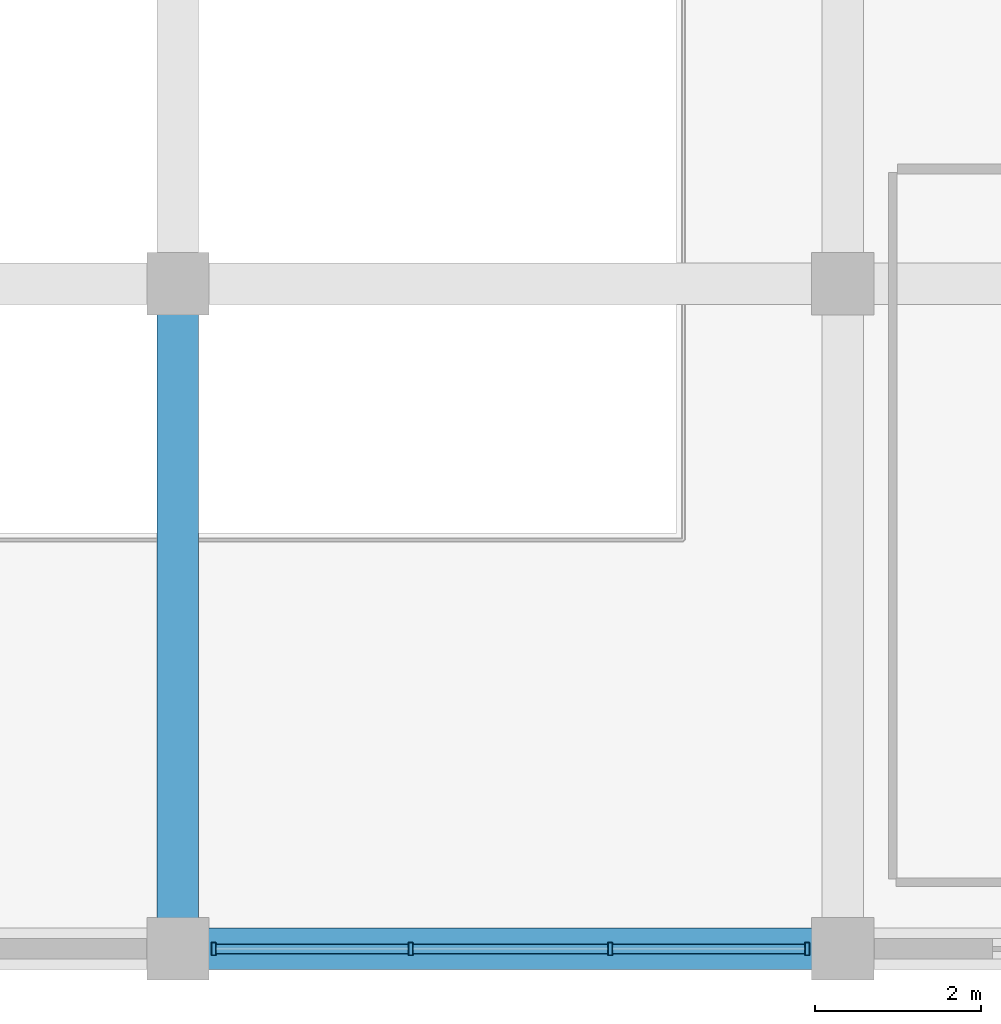
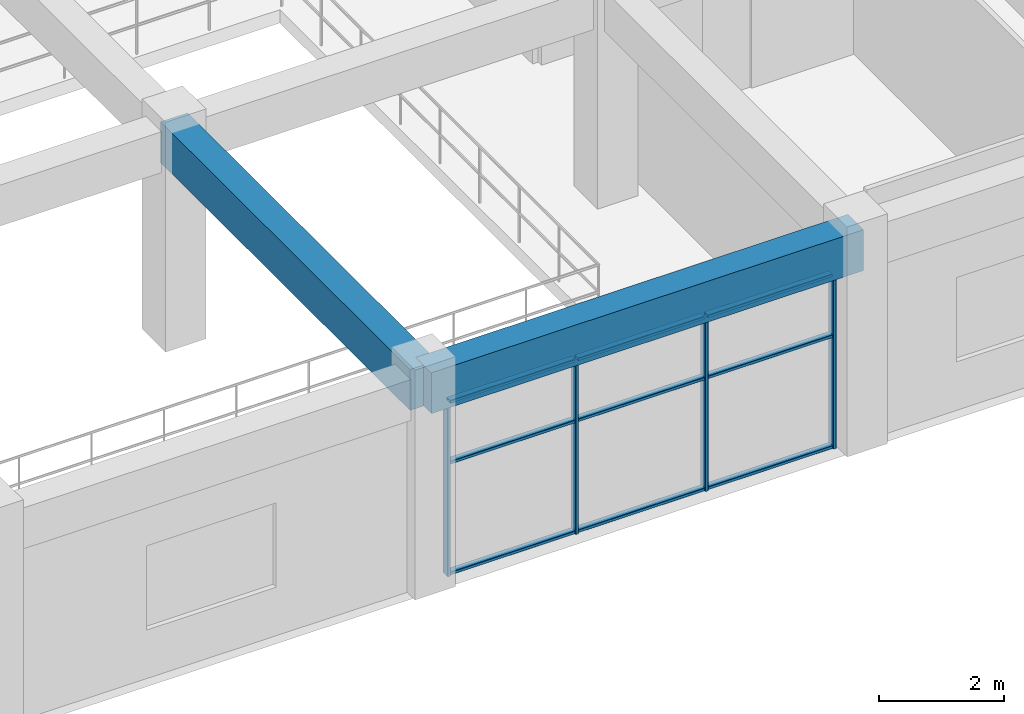
# One storey, part 8 of 55: 13 members, 2 beams, 1 element without a shape of its own.
"""IFC4 building model written with IfcOpenShell, lengths in metres."""

from ifc_helpers import new_model, si_unit, direction, frame, origin, origin_2d, place, context, subcontext, project, spatial, rectangle, hollow_rectangle, extrude, material, layer, layer_set, material_profile, profile_set, type_object, element, aggregate, save


model = new_model("IFC4")

# Units and contexts
model_context = context("Model", 3, precision=1e-05, world=origin(), true_north=direction((0.0, 1.0)))
body_context = subcontext(model_context, "Body", "Model", "MODEL_VIEW")
ifc_project = project(units=[si_unit("LENGTHUNIT", "METRE"), si_unit("AREAUNIT", "SQUARE_METRE"), si_unit("VOLUMEUNIT", "CUBIC_METRE"), si_unit("PLANEANGLEUNIT", "RADIAN"), si_unit("MASSUNIT", "GRAM", prefix="KILO")], contexts=[model_context])

# Site, building, storey
site_placement = place(None, origin())
site = spatial("IfcSite", under=ifc_project, at=site_placement, CompositionType="ELEMENT")
building_placement = place(site_placement, origin())
building = spatial("IfcBuilding", under=site, at=building_placement, Name="Kelanora Arch Commons", CompositionType="ELEMENT")
storey_placement = place(building_placement, frame((0.0, 0.0, 4.5)))
storey = spatial("IfcBuildingStorey", under=building, at=storey_placement, Name="L01", CompositionType="ELEMENT", Elevation=4.5)

# Beams
ifc_material_1 = material(Name="Concrete C40/50", Category="concrete")
ifc_material_profile_1 = material_profile(ifc_material_1, rectangle(XDim=0.5, YDim=0.800048828125, at=origin_2d()), Name="RCB500x800")
ifc_profile_set_1 = profile_set([ifc_material_profile_1], Name="Concrete C40/50")
beam_type = type_object("IfcBeamType", Name="BM-MKT-RC1", PredefinedType="BEAM", material=ifc_profile_set_1)
for number, where, z_axis, x_axis, name in (
    (1, (60.0, 4.0, 3.840087890625), (1.0, 0.0, 0.0), (0.0, 1.0, 0.0), "Market/Basement Frame Beam 108 L01"),
    (2, (60.0, 4.0, 3.840087890625), (0.0, 1.0, 0.0), (-1.0, 0.0, 0.0), "Market/Basement Frame Beam 109 L01"),
):
    element("IfcBeam", number, at=place(storey_placement, frame(where, z_axis=z_axis, x_axis=x_axis)), inside=storey, type_object=beam_type, Name=name, PredefinedType="BEAM", context=body_context, shape_type="SweptSolid", body=[
        extrude(rectangle(XDim=0.5, YDim=0.800048828125, at=origin_2d()), origin(), (0.0, 0.0, 1.0), 8.0),
    ])

# Curtain wall, members
ifc_material_2 = material(Name="Terracotta ceramic-fritted low-E glass and aluminium", Category="masonry")
ifc_layer = layer(ifc_material_2, 0.16796875)
ifc_layer_set = layer_set([ifc_layer], Name="Terracotta ceramic-fritted low-E glass and aluminium")
curtain_wall_type = type_object("IfcCurtainWallType", Name="CW-SYS-07", PredefinedType="NOTDEFINED", material=ifc_layer_set)
curtain_wall_placement = place(storey_placement, origin())
curtain_wall = element("IfcCurtainWall", 3, at=curtain_wall_placement, inside=storey, type_object=curtain_wall_type, Name="Market Hall Arcade Curtain Wall L01-07", PredefinedType="NOTDEFINED")
ifc_material_3 = material(Name="Powder-coated aluminium terracotta", Category="masonry")
ifc_material_profile_2 = material_profile(ifc_material_3, hollow_rectangle(XDim=0.159912109375, YDim=0.06005859375, WallThickness=0.0048828125, InnerFilletRadius=0.0048828125, OuterFilletRadius=0.010009765625, at=origin_2d()), Name="CWM160x60")
ifc_profile_set_2 = profile_set([ifc_material_profile_2], Name="Powder-coated aluminium terracotta")
member_type_1 = type_object("IfcMemberType", Name="CWM-STD", PredefinedType="MULLION", material=ifc_profile_set_2)
member_1_placement = place(storey_placement, frame((60.429931640625, 4.0, 0.0), z_axis=(0.0, 0.0, 1.0), x_axis=(0.0, 1.0, 0.0)))
member_1 = element("IfcMember", 4, at=member_1_placement, type_object=member_type_1, Name="CW-07 mullion 1", PredefinedType="MULLION", context=body_context, shape_type="SweptSolid", body=[
    extrude(hollow_rectangle(XDim=0.159912109375, YDim=0.06005859375, WallThickness=0.0048828125, InnerFilletRadius=0.0048828125, OuterFilletRadius=0.010009765625, at=origin_2d()), origin(), (0.0, 0.0, 1.0), 3.419921875),
])
member_2_placement = place(storey_placement, frame((62.800048828125, 4.0, 0.0), z_axis=(0.0, 0.0, 1.0), x_axis=(0.0, 1.0, 0.0)))
member_2 = element("IfcMember", 5, at=member_2_placement, type_object=member_type_1, Name="CW-07 mullion 2", PredefinedType="MULLION", context=body_context, shape_type="SweptSolid", body=[
    extrude(hollow_rectangle(XDim=0.159912109375, YDim=0.06005859375, WallThickness=0.0048828125, InnerFilletRadius=0.0048828125, OuterFilletRadius=0.010009765625, at=origin_2d()), origin(), (0.0, 0.0, 1.0), 3.419921875),
])
member_3_placement = place(storey_placement, frame((65.199951171875, 4.0, 0.0), z_axis=(0.0, 0.0, 1.0), x_axis=(0.0, 1.0, 0.0)))
member_3 = element("IfcMember", 6, at=member_3_placement, type_object=member_type_1, Name="CW-07 mullion 3", PredefinedType="MULLION", context=body_context, shape_type="SweptSolid", body=[
    extrude(hollow_rectangle(XDim=0.159912109375, YDim=0.06005859375, WallThickness=0.0048828125, InnerFilletRadius=0.0048828125, OuterFilletRadius=0.010009765625, at=origin_2d()), origin(), (0.0, 0.0, 1.0), 3.419921875),
])
member_4_placement = place(storey_placement, frame((67.570068359375, 4.0, 0.0), z_axis=(0.0, 0.0, 1.0), x_axis=(0.0, 1.0, 0.0)))
member_4 = element("IfcMember", 7, at=member_4_placement, type_object=member_type_1, Name="CW-07 mullion 4", PredefinedType="MULLION", context=body_context, shape_type="SweptSolid", body=[
    extrude(hollow_rectangle(XDim=0.159912109375, YDim=0.06005859375, WallThickness=0.0048828125, InnerFilletRadius=0.0048828125, OuterFilletRadius=0.010009765625, at=origin_2d()), origin(), (0.0, 0.0, 1.0), 3.419921875),
])
ifc_material_profile_3 = material_profile(ifc_material_3, hollow_rectangle(XDim=0.1201171875, YDim=0.06005859375, WallThickness=0.0048828125, InnerFilletRadius=0.0048828125, OuterFilletRadius=0.010009765625, at=origin_2d()), Name="CWT120x60")
ifc_profile_set_3 = profile_set([ifc_material_profile_3], Name="Powder-coated aluminium terracotta")
member_type_2 = type_object("IfcMemberType", Name="CWT-STD", PredefinedType="USERDEFINED", material=ifc_profile_set_3)
member_5_placement = place(storey_placement, frame((60.4599609375, 4.0, 0.030029296875), z_axis=(1.0, 0.0, 0.0), x_axis=(0.0, 1.0, 0.0)))
member_5 = element("IfcMember", 8, at=member_5_placement, type_object=member_type_2, Name="CW-07 transom 1.1", ObjectType="TRANSOM", PredefinedType="USERDEFINED", context=body_context, shape_type="SweptSolid", body=[
    extrude(hollow_rectangle(XDim=0.1201171875, YDim=0.06005859375, WallThickness=0.0048828125, InnerFilletRadius=0.0048828125, OuterFilletRadius=0.010009765625, at=origin_2d()), origin(), (0.0, 0.0, 1.0), 2.31005859375),
])
member_6_placement = place(storey_placement, frame((60.4599609375, 4.0, 2.199951171875), z_axis=(1.0, 0.0, 0.0), x_axis=(0.0, 1.0, 0.0)))
member_6 = element("IfcMember", 9, at=member_6_placement, type_object=member_type_2, Name="CW-07 transom 1.2", ObjectType="TRANSOM", PredefinedType="USERDEFINED", context=body_context, shape_type="SweptSolid", body=[
    extrude(hollow_rectangle(XDim=0.1201171875, YDim=0.06005859375, WallThickness=0.0048828125, InnerFilletRadius=0.0048828125, OuterFilletRadius=0.010009765625, at=origin_2d()), origin(), (0.0, 0.0, 1.0), 2.31005859375),
])
member_7_placement = place(storey_placement, frame((60.4599609375, 4.0, 3.389892578125), z_axis=(1.0, 0.0, 0.0), x_axis=(0.0, 1.0, 0.0)))
member_7 = element("IfcMember", 10, at=member_7_placement, type_object=member_type_2, Name="CW-07 transom 1.3", ObjectType="TRANSOM", PredefinedType="USERDEFINED", context=body_context, shape_type="SweptSolid", body=[
    extrude(hollow_rectangle(XDim=0.1201171875, YDim=0.06005859375, WallThickness=0.0048828125, InnerFilletRadius=0.0048828125, OuterFilletRadius=0.010009765625, at=origin_2d()), origin(), (0.0, 0.0, 1.0), 2.31005859375),
])
member_8_placement = place(storey_placement, frame((62.830078125, 4.0, 0.030029296875), z_axis=(1.0, 0.0, 0.0), x_axis=(0.0, 1.0, 0.0)))
member_8 = element("IfcMember", 11, at=member_8_placement, type_object=member_type_2, Name="CW-07 transom 2.1", ObjectType="TRANSOM", PredefinedType="USERDEFINED", context=body_context, shape_type="SweptSolid", body=[
    extrude(hollow_rectangle(XDim=0.1201171875, YDim=0.06005859375, WallThickness=0.0048828125, InnerFilletRadius=0.0048828125, OuterFilletRadius=0.010009765625, at=origin_2d()), origin(), (0.0, 0.0, 1.0), 2.33984375),
])
member_9_placement = place(storey_placement, frame((62.830078125, 4.0, 2.199951171875), z_axis=(1.0, 0.0, 0.0), x_axis=(0.0, 1.0, 0.0)))
member_9 = element("IfcMember", 12, at=member_9_placement, type_object=member_type_2, Name="CW-07 transom 2.2", ObjectType="TRANSOM", PredefinedType="USERDEFINED", context=body_context, shape_type="SweptSolid", body=[
    extrude(hollow_rectangle(XDim=0.1201171875, YDim=0.06005859375, WallThickness=0.0048828125, InnerFilletRadius=0.0048828125, OuterFilletRadius=0.010009765625, at=origin_2d()), origin(), (0.0, 0.0, 1.0), 2.33984375),
])
member_10_placement = place(storey_placement, frame((62.830078125, 4.0, 3.389892578125), z_axis=(1.0, 0.0, 0.0), x_axis=(0.0, 1.0, 0.0)))
member_10 = element("IfcMember", 13, at=member_10_placement, type_object=member_type_2, Name="CW-07 transom 2.3", ObjectType="TRANSOM", PredefinedType="USERDEFINED", context=body_context, shape_type="SweptSolid", body=[
    extrude(hollow_rectangle(XDim=0.1201171875, YDim=0.06005859375, WallThickness=0.0048828125, InnerFilletRadius=0.0048828125, OuterFilletRadius=0.010009765625, at=origin_2d()), origin(), (0.0, 0.0, 1.0), 2.33984375),
])
member_11_placement = place(storey_placement, frame((65.22998046875, 4.0, 0.030029296875), z_axis=(1.0, 0.0, 0.0), x_axis=(0.0, 1.0, 0.0)))
member_11 = element("IfcMember", 14, at=member_11_placement, type_object=member_type_2, Name="CW-07 transom 3.1", ObjectType="TRANSOM", PredefinedType="USERDEFINED", context=body_context, shape_type="SweptSolid", body=[
    extrude(hollow_rectangle(XDim=0.1201171875, YDim=0.06005859375, WallThickness=0.0048828125, InnerFilletRadius=0.0048828125, OuterFilletRadius=0.010009765625, at=origin_2d()), origin(), (0.0, 0.0, 1.0), 2.31005859375),
])
member_12_placement = place(storey_placement, frame((65.22998046875, 4.0, 2.199951171875), z_axis=(1.0, 0.0, 0.0), x_axis=(0.0, 1.0, 0.0)))
member_12 = element("IfcMember", 15, at=member_12_placement, type_object=member_type_2, Name="CW-07 transom 3.2", ObjectType="TRANSOM", PredefinedType="USERDEFINED", context=body_context, shape_type="SweptSolid", body=[
    extrude(hollow_rectangle(XDim=0.1201171875, YDim=0.06005859375, WallThickness=0.0048828125, InnerFilletRadius=0.0048828125, OuterFilletRadius=0.010009765625, at=origin_2d()), origin(), (0.0, 0.0, 1.0), 2.31005859375),
])
member_13_placement = place(storey_placement, frame((65.22998046875, 4.0, 3.389892578125), z_axis=(1.0, 0.0, 0.0), x_axis=(0.0, 1.0, 0.0)))
member_13 = element("IfcMember", 16, at=member_13_placement, type_object=member_type_2, Name="CW-07 transom 3.3", ObjectType="TRANSOM", PredefinedType="USERDEFINED", context=body_context, shape_type="SweptSolid", body=[
    extrude(hollow_rectangle(XDim=0.1201171875, YDim=0.06005859375, WallThickness=0.0048828125, InnerFilletRadius=0.0048828125, OuterFilletRadius=0.010009765625, at=origin_2d()), origin(), (0.0, 0.0, 1.0), 2.31005859375),
])
aggregate(curtain_wall, [member_1, member_2, member_3, member_4, member_5, member_6, member_7, member_8, member_9, member_10, member_11, member_12, member_13])

save(model, "model.ifc")
